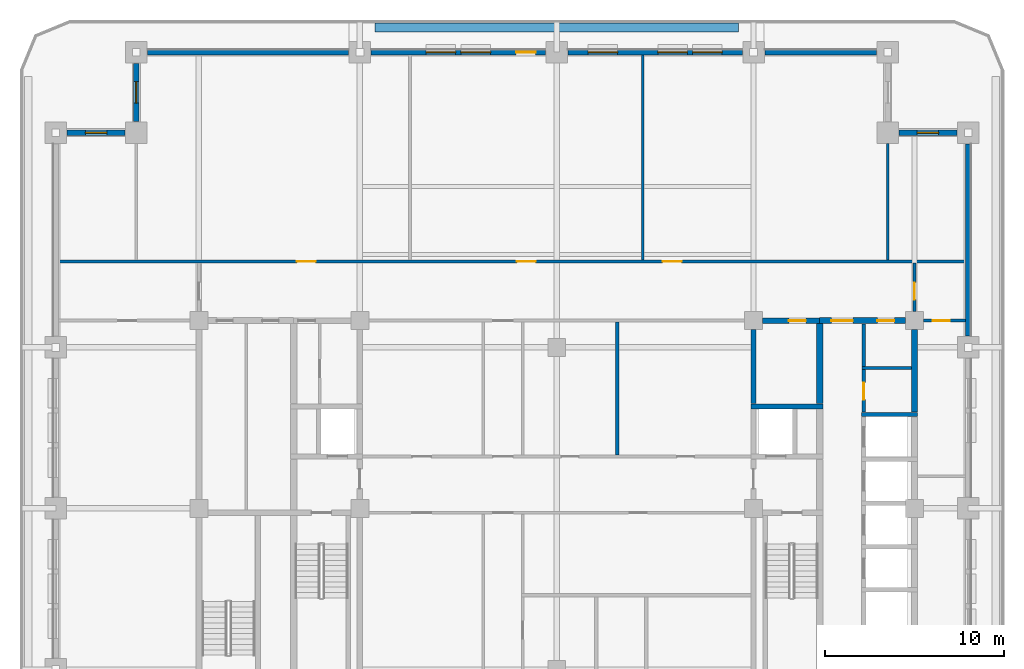
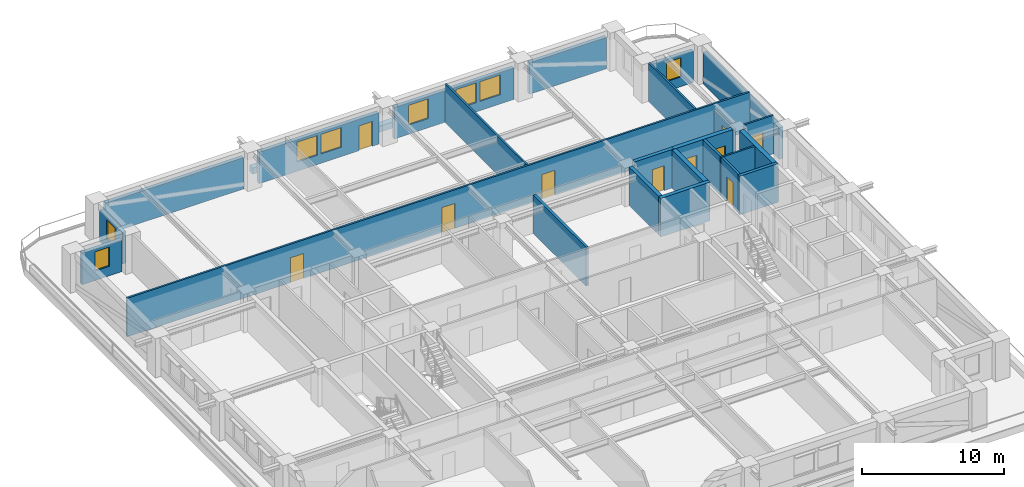
# One storey, part 6 of 16: 25 walls, 10 doors, 8 windows, 18 openings.
"""IFC4 building model written with IfcOpenShell, lengths in metres."""

from ifc_helpers import new_model, si_unit, direction, frame, frame_2d, origin, place, context, subcontext, project, spatial, rectangle, extrude, material, layer, layer_set, type_object, element, fill, save


model = new_model("IFC4")

# Units and contexts
model_context = context("Model", 3, precision=1e-05, world=origin(), true_north=direction((0.0, 1.0)))
body_context = subcontext(model_context, "Body", "Model", "MODEL_VIEW")
ifc_project = project(units=[si_unit("LENGTHUNIT", "METRE"), si_unit("AREAUNIT", "SQUARE_METRE"), si_unit("VOLUMEUNIT", "CUBIC_METRE"), si_unit("PLANEANGLEUNIT", "RADIAN"), si_unit("MASSUNIT", "GRAM", prefix="KILO")], contexts=[model_context])

# Site, building, storey
site_placement = place(None, origin())
site = spatial("IfcSite", under=ifc_project, at=site_placement, CompositionType="ELEMENT")
building_placement = place(site_placement, origin())
building = spatial("IfcBuilding", under=site, at=building_placement, Name="Zulmaris Gate Convention Tower", CompositionType="ELEMENT")
storey_placement = place(building_placement, frame((0.0, 0.0, 124.919921875)))
storey = spatial("IfcBuildingStorey", under=building, at=storey_placement, Name="L31", CompositionType="ELEMENT", Elevation=124.919921875)

# Walls
ifc_material_1 = material(Name="Concrete C50/60", Category="concrete")
ifc_layer_1 = layer(ifc_material_1, 0.25, Name="Concrete C50/60")
ifc_layer_set_1 = layer_set([ifc_layer_1], Name="Concrete C50/60")
wall_type_1 = type_object("IfcWallType", Name="CORE-250", PredefinedType="SOLIDWALL", material=ifc_layer_set_1)
wall_1_placement = place(storey_placement, frame((17.02490234375, 5.25, 0.0), z_axis=(0.0, 0.0, 1.0), x_axis=(1.0, 0.0, 0.0)))
element("IfcWall", 1, at=wall_1_placement, inside=storey, type_object=wall_type_1, Name="WL-L31-014", PredefinedType="SOLIDWALL", context=body_context, shape_type="SweptSolid", body=[
    extrude(rectangle(XDim=3.150146484375, YDim=0.25, at=frame_2d((1.5751953125, 0.0))), origin(), (0.0, 0.0, 1.0), 3.31982421875),
])
ifc_layer_2 = layer(ifc_material_1, 0.300048828125, Name="Concrete C50/60")
ifc_layer_set_2 = layer_set([ifc_layer_2], Name="Concrete C50/60")
wall_type_2 = type_object("IfcWallType", Name="CORE-300", PredefinedType="SHEAR", material=ifc_layer_set_2)
wall_2_placement = place(storey_placement, frame((10.85009765625, 5.699951171875, 0.0), z_axis=(0.0, 0.0, 1.0), x_axis=(1.0, 0.0, 0.0)))
element("IfcWall", 2, at=wall_2_placement, inside=storey, type_object=wall_type_2, Name="WL-L31-016", PredefinedType="SHEAR", context=body_context, shape_type="SweptSolid", body=[
    extrude(rectangle(XDim=4.02490234375, YDim=0.300048828125, at=frame_2d((2.012451171875, 0.0))), origin(), (0.0, 0.0, 1.0), 3.31982421875),
])

# Wall, opening, door
wall_3_placement = place(storey_placement, frame((11.50390625, 10.5, 0.0), z_axis=(0.0, 0.0, 1.0), x_axis=(1.0, 0.0, 0.0)))
wall_3 = element("IfcWall", 3, at=wall_3_placement, inside=storey, type_object=wall_type_2, Name="WL-L31-019", PredefinedType="SHEAR", context=body_context, shape_type="SweptSolid", body=[
    extrude(rectangle(XDim=3.196044921875, YDim=0.300048828125, at=frame_2d((1.59814453125, 0.0))), origin(), (0.0, 0.0, 1.0), 3.31982421875),
])
opening_1_placement = place(wall_3_placement, frame((1.470947265625, 0.0, 0.0)))
opening_1 = element("IfcOpeningElement", 4, at=opening_1_placement, cuts=wall_3, Name="Opening D-11", PredefinedType="OPENING", context=body_context, shape_type="SweptSolid", body=[
    extrude(rectangle(XDim=0.949951171875, YDim=2.14990234375, at=frame_2d((0.47509765625, 1.074951171875))), frame((0.0, 0.16015625, 0.0), z_axis=(0.0, -1.0, 0.0), x_axis=(1.0, 0.0, 0.0)), (0.0, 0.0, 1.0), 0.320068359375),
])
ifc_material_2 = material(Name="Fire-Rated Timber", Category="wood")
door_type_1 = type_object("IfcDoorType", Name="DR-950-FD", OperationType="NOTDEFINED", PredefinedType="DOOR", material=ifc_material_2)
door_1_placement = place(opening_1_placement, origin())
door_1 = element("IfcDoor", 5, at=door_1_placement, inside=storey, type_object=door_type_1, Name="L31 Core Tea Pantry Door 09", OperationType="SINGLE_SWING_LEFT", OverallHeight=2.14990234375, OverallWidth=0.949951171875, PredefinedType="DOOR", context=body_context, shape_type="SweptSolid", body=[
    extrude(rectangle(XDim=0.949951171875, YDim=2.14990234375, at=frame_2d((0.47509765625, 1.074951171875))), frame((0.0, 0.02490234375, 0.0), z_axis=(0.0, -1.0, 0.0), x_axis=(1.0, 0.0, 0.0)), (0.0, 0.0, 1.0), 0.050048828125),
])
fill(opening_1, door_1)

# Wall
wall_4_placement = place(storey_placement, frame((11.0, 5.85205078125, 0.0), z_axis=(0.0, 0.0, 1.0), x_axis=(0.0, 1.0, 0.0)))
element("IfcWall", 6, at=wall_4_placement, inside=storey, type_object=wall_type_2, Name="WL-L31-050", PredefinedType="SHEAR", context=body_context, shape_type="SweptSolid", body=[
    extrude(rectangle(XDim=4.14404296875, YDim=0.300048828125, at=frame_2d((2.072021484375, 0.0))), origin(), (0.0, 0.0, 1.0), 3.31982421875),
])

# Wall, openings, doors
ifc_material_3 = material(Name="Concrete C55/67", Category="concrete")
ifc_layer_3 = layer(ifc_material_3, 0.35009765625, Name="Concrete C55/67")
ifc_layer_set_3 = layer_set([ifc_layer_3], Name="Concrete C55/67")
wall_type_3 = type_object("IfcWallType", Name="CORE-350", PredefinedType="SHEAR", material=ifc_layer_set_3)
wall_5_placement = place(storey_placement, frame((14.699951171875, 10.5, 0.0), z_axis=(0.0, 0.0, 1.0), x_axis=(1.0, 0.0, 0.0)))
wall_5 = element("IfcWall", 7, at=wall_5_placement, inside=storey, type_object=wall_type_3, Name="WL-L31-020", PredefinedType="SHEAR", context=body_context, shape_type="SweptSolid", body=[
    extrude(rectangle(XDim=4.796142578125, YDim=0.35009765625, at=frame_2d((2.39794921875, 0.0))), origin(), (0.0, 0.0, 1.0), 3.31982421875),
])
opening_2_placement = place(wall_5_placement, frame((0.64990234375, 0.0, 0.0)))
opening_2 = element("IfcOpeningElement", 8, at=opening_2_placement, cuts=wall_5, Name="Opening D-13", PredefinedType="OPENING", context=body_context, shape_type="SweptSolid", body=[
    extrude(rectangle(XDim=1.199951171875, YDim=2.14990234375, at=frame_2d((0.60009765625, 1.074951171875))), frame((0.0, 0.18505859375, 0.0), z_axis=(0.0, -1.0, 0.0), x_axis=(1.0, 0.0, 0.0)), (0.0, 0.0, 1.0), 0.3701171875),
])
opening_3_placement = place(wall_5_placement, frame((3.22509765625, 0.0, 0.0)))
opening_3 = element("IfcOpeningElement", 9, at=opening_3_placement, cuts=wall_5, Name="Opening D-11", PredefinedType="OPENING", context=body_context, shape_type="SweptSolid", body=[
    extrude(rectangle(XDim=0.949951171875, YDim=2.14990234375, at=frame_2d((0.47509765625, 1.074951171875))), frame((0.0, 0.18505859375, 0.0), z_axis=(0.0, -1.0, 0.0), x_axis=(1.0, 0.0, 0.0)), (0.0, 0.0, 1.0), 0.3701171875),
])
ifc_material_4 = material(Name="Fire-Rated Steel", Category="steel")
door_type_2 = type_object("IfcDoorType", Name="DR-1200-FD", OperationType="NOTDEFINED", PredefinedType="DOOR", material=ifc_material_4)
door_2_placement = place(opening_2_placement, origin())
door_2 = element("IfcDoor", 10, at=door_2_placement, inside=storey, type_object=door_type_2, Name="L31 East Lift Lobby North Door 18", OperationType="SINGLE_SWING_RIGHT", OverallHeight=2.14990234375, OverallWidth=1.199951171875, PredefinedType="DOOR", context=body_context, shape_type="SweptSolid", body=[
    extrude(rectangle(XDim=1.199951171875, YDim=2.14990234375, at=frame_2d((0.60009765625, 1.074951171875))), frame((0.0, 0.02490234375, 0.0), z_axis=(0.0, -1.0, 0.0), x_axis=(1.0, 0.0, 0.0)), (0.0, 0.0, 1.0), 0.050048828125),
])
fill(opening_2, door_2)
door_3_placement = place(opening_3_placement, origin())
door_3 = element("IfcDoor", 11, at=door_3_placement, inside=storey, type_object=door_type_1, Name="L31 Mid-Rise Supply Door 19", OperationType="SINGLE_SWING_LEFT", OverallHeight=2.14990234375, OverallWidth=0.949951171875, PredefinedType="DOOR", context=body_context, shape_type="SweptSolid", body=[
    extrude(rectangle(XDim=0.949951171875, YDim=2.14990234375, at=frame_2d((0.47509765625, 1.074951171875))), frame((0.0, 0.02490234375, 0.0), z_axis=(0.0, -1.0, 0.0), x_axis=(1.0, 0.0, 0.0)), (0.0, 0.0, 1.0), 0.050048828125),
])
fill(opening_3, door_3)

# Walls
wall_6_placement = place(storey_placement, frame((14.699951171875, 5.85205078125, 0.0), z_axis=(0.0, 0.0, 1.0), x_axis=(0.0, 1.0, 0.0)))
element("IfcWall", 12, at=wall_6_placement, inside=storey, type_object=wall_type_3, Name="WL-L31-056", PredefinedType="SHEAR", context=body_context, shape_type="SweptSolid", body=[
    extrude(rectangle(XDim=4.470947265625, YDim=0.35009765625, at=frame_2d((2.2353515625, 0.0))), origin(), (0.0, 0.0, 1.0), 3.31982421875),
])
wall_7_placement = place(storey_placement, frame((20.0, 5.376953125, 0.0), z_axis=(0.0, 0.0, 1.0), x_axis=(0.0, 1.0, 0.0)))
element("IfcWall", 13, at=wall_7_placement, inside=storey, type_object=wall_type_3, Name="WL-L31-068", PredefinedType="SHEAR", context=body_context, shape_type="SweptSolid", body=[
    extrude(rectangle(XDim=4.619140625, YDim=0.35009765625, at=frame_2d((2.3095703125, 0.0))), origin(), (0.0, 0.0, 1.0), 3.31982421875),
])
ifc_material_5 = material(Name="Gypsum Metal Stud Partition")
ifc_layer_4 = layer(ifc_material_5, 0.14990234375, Name="Gypsum Metal Stud Partition")
ifc_layer_set_4 = layer_set([ifc_layer_4], Name="Gypsum Metal Stud Partition")
wall_type_4 = type_object("IfcWallType", Name="PART-150", PredefinedType="PARTITIONING", material=ifc_layer_set_4)
wall_8_placement = place(storey_placement, frame((17.050048828125, 7.85009765625, 0.0), z_axis=(0.0, 0.0, 1.0), x_axis=(1.0, 0.0, 0.0)))
element("IfcWall", 14, at=wall_8_placement, inside=storey, type_object=wall_type_4, Name="WL-L31-029", PredefinedType="PARTITIONING", context=body_context, shape_type="SweptSolid", body=[
    extrude(rectangle(XDim=2.77197265625, YDim=0.14990234375, at=frame_2d((1.385986328125, 0.0))), origin(), (0.0, 0.0, 1.0), 3.31982421875),
])

# Wall, opening, door
wall_9_placement = place(storey_placement, frame((20.506103515625, 10.5, 0.0), z_axis=(0.0, 0.0, 1.0), x_axis=(1.0, 0.0, 0.0)))
wall_9 = element("IfcWall", 15, at=wall_9_placement, inside=storey, type_object=wall_type_4, Name="WL-L31-032", PredefinedType="PARTITIONING", context=body_context, shape_type="SweptSolid", body=[
    extrude(rectangle(XDim=2.328857421875, YDim=0.14990234375, at=frame_2d((1.16455078125, 0.0))), origin(), (0.0, 0.0, 1.0), 3.31982421875),
])
opening_4_placement = place(wall_9_placement, frame((0.51904296875, 0.0, 0.0)))
opening_4 = element("IfcOpeningElement", 16, at=opening_4_placement, cuts=wall_9, Name="Opening D-11", PredefinedType="OPENING", context=body_context, shape_type="SweptSolid", body=[
    extrude(rectangle(XDim=0.949951171875, YDim=2.14990234375, at=frame_2d((0.47509765625, 1.074951171875))), frame((0.0, 0.0849609375, 0.0), z_axis=(0.0, -1.0, 0.0), x_axis=(1.0, 0.0, 0.0)), (0.0, 0.0, 1.0), 0.169921875),
])
door_4_placement = place(opening_4_placement, origin())
door_4 = element("IfcDoor", 17, at=door_4_placement, inside=storey, type_object=door_type_1, Name="L31 NE Partner Door 47", OperationType="SINGLE_SWING_LEFT", OverallHeight=2.14990234375, OverallWidth=0.949951171875, PredefinedType="DOOR", context=body_context, shape_type="SweptSolid", body=[
    extrude(rectangle(XDim=0.949951171875, YDim=2.14990234375, at=frame_2d((0.47509765625, 1.074951171875))), frame((0.0, 0.02490234375, 0.0), z_axis=(0.0, -1.0, 0.0), x_axis=(1.0, 0.0, 0.0)), (0.0, 0.0, 1.0), 0.050048828125),
])
fill(opening_4, door_4)

# Wall, openings, doors
wall_10_placement = place(storey_placement, frame((-27.8349609375, 13.800048828125, 0.0), z_axis=(0.0, 0.0, 1.0), x_axis=(1.0, 0.0, 0.0)))
wall_10 = element("IfcWall", 18, at=wall_10_placement, inside=storey, type_object=wall_type_4, Name="WL-L31-033", PredefinedType="PARTITIONING", context=body_context, shape_type="SweptSolid", body=[
    extrude(rectangle(XDim=50.669921875, YDim=0.14990234375, at=frame_2d((25.3349609375, 0.0))), origin(), (0.0, 0.0, 1.0), 3.31982421875),
])
opening_5_placement = place(wall_10_placement, frame((13.31005859375, 0.0, 0.0)))
opening_5 = element("IfcOpeningElement", 19, at=opening_5_placement, cuts=wall_10, Name="Opening D-09", PredefinedType="OPENING", context=body_context, shape_type="SweptSolid", body=[
    extrude(rectangle(XDim=1.050048828125, YDim=2.14990234375, at=frame_2d((0.52490234375, 1.074951171875))), frame((0.0, 0.0849609375, 0.0), z_axis=(0.0, -1.0, 0.0), x_axis=(1.0, 0.0, 0.0)), (0.0, 0.0, 1.0), 0.169921875),
])
opening_6_placement = place(wall_10_placement, frame((25.610107421875, 0.0, 0.0)))
opening_6 = element("IfcOpeningElement", 20, at=opening_6_placement, cuts=wall_10, Name="Opening D-09", PredefinedType="OPENING", context=body_context, shape_type="SweptSolid", body=[
    extrude(rectangle(XDim=1.050048828125, YDim=2.14990234375, at=frame_2d((0.52490234375, 1.074951171875))), frame((0.0, 0.0849609375, 0.0), z_axis=(0.0, -1.0, 0.0), x_axis=(1.0, 0.0, 0.0)), (0.0, 0.0, 1.0), 0.169921875),
])
opening_7_placement = place(wall_10_placement, frame((33.760009765625, 0.0, 0.0)))
opening_7 = element("IfcOpeningElement", 21, at=opening_7_placement, cuts=wall_10, Name="Opening D-09", PredefinedType="OPENING", context=body_context, shape_type="SweptSolid", body=[
    extrude(rectangle(XDim=1.050048828125, YDim=2.14990234375, at=frame_2d((0.52490234375, 1.074951171875))), frame((0.0, 0.0849609375, 0.0), z_axis=(0.0, -1.0, 0.0), x_axis=(1.0, 0.0, 0.0)), (0.0, 0.0, 1.0), 0.169921875),
])
door_type_3 = type_object("IfcDoorType", Name="DR-1050-FD", OperationType="NOTDEFINED", PredefinedType="DOOR", material=ifc_material_4)
door_5_placement = place(opening_5_placement, origin())
door_5 = element("IfcDoor", 22, at=door_5_placement, inside=storey, type_object=door_type_3, Name="L31 Executive Boardroom Door 25", OperationType="SINGLE_SWING_LEFT", OverallHeight=2.14990234375, OverallWidth=1.050048828125, PredefinedType="DOOR", context=body_context, shape_type="SweptSolid", body=[
    extrude(rectangle(XDim=1.050048828125, YDim=2.14990234375, at=frame_2d((0.52490234375, 1.074951171875))), frame((0.0, 0.02490234375, 0.0), z_axis=(0.0, -1.0, 0.0), x_axis=(1.0, 0.0, 0.0)), (0.0, 0.0, 1.0), 0.050048828125),
])
fill(opening_5, door_5)
door_6_placement = place(opening_6_placement, origin())
door_6 = element("IfcDoor", 23, at=door_6_placement, inside=storey, type_object=door_type_3, Name="L31 Corporate Strategy Office Door 26", OperationType="SINGLE_SWING_RIGHT", OverallHeight=2.14990234375, OverallWidth=1.050048828125, PredefinedType="DOOR", context=body_context, shape_type="SweptSolid", body=[
    extrude(rectangle(XDim=1.050048828125, YDim=2.14990234375, at=frame_2d((0.52490234375, 1.074951171875))), frame((0.0, 0.02490234375, 0.0), z_axis=(0.0, -1.0, 0.0), x_axis=(1.0, 0.0, 0.0)), (0.0, 0.0, 1.0), 0.050048828125),
])
fill(opening_6, door_6)
door_7_placement = place(opening_7_placement, origin())
door_7 = element("IfcDoor", 24, at=door_7_placement, inside=storey, type_object=door_type_3, Name="L31 Project Advisory Studio Door 27", OperationType="SINGLE_SWING_LEFT", OverallHeight=2.14990234375, OverallWidth=1.050048828125, PredefinedType="DOOR", context=body_context, shape_type="SweptSolid", body=[
    extrude(rectangle(XDim=1.050048828125, YDim=2.14990234375, at=frame_2d((0.52490234375, 1.074951171875))), frame((0.0, 0.02490234375, 0.0), z_axis=(0.0, -1.0, 0.0), x_axis=(1.0, 0.0, 0.0)), (0.0, 0.0, 1.0), 0.050048828125),
])
fill(opening_7, door_7)

# Walls
wall_11_placement = place(storey_placement, frame((4.800048828125, 13.8779296875, 0.0), z_axis=(0.0, 0.0, 1.0), x_axis=(0.0, 1.0, 0.0)))
element("IfcWall", 25, at=wall_11_placement, inside=storey, type_object=wall_type_4, Name="WL-L31-086", PredefinedType="PARTITIONING", context=body_context, shape_type="SweptSolid", body=[
    extrude(rectangle(XDim=11.45703125, YDim=0.14990234375, at=frame_2d((5.728515625, 0.0))), origin(), (0.0, 0.0, 1.0), 3.31982421875),
])
wall_12_placement = place(storey_placement, frame((18.5, 13.8779296875, 0.0), z_axis=(0.0, 0.0, 1.0), x_axis=(0.0, 1.0, 0.0)))
element("IfcWall", 26, at=wall_12_placement, inside=storey, type_object=wall_type_4, Name="WL-L31-092", PredefinedType="PARTITIONING", context=body_context, shape_type="SweptSolid", body=[
    extrude(rectangle(XDim=6.51611328125, YDim=0.14990234375, at=frame_2d((3.258056640625, 0.0))), origin(), (0.0, 0.0, 1.0), 3.31982421875),
])

# Wall, opening, door
wall_13_placement = place(storey_placement, frame((20.0, 11.006103515625, 0.0), z_axis=(0.0, 0.0, 1.0), x_axis=(0.0, 1.0, 0.0)))
wall_13 = element("IfcWall", 27, at=wall_13_placement, inside=storey, type_object=wall_type_4, Name="WL-L31-094", PredefinedType="PARTITIONING", context=body_context, shape_type="SweptSolid", body=[
    extrude(rectangle(XDim=2.7158203125, YDim=0.14990234375, at=frame_2d((1.35791015625, 0.0))), origin(), (0.0, 0.0, 1.0), 2.809814453125),
])
opening_8_placement = place(wall_13_placement, frame((0.6689453125, 0.0, 0.0)))
opening_8 = element("IfcOpeningElement", 28, at=opening_8_placement, cuts=wall_13, Name="Opening D-11", PredefinedType="OPENING", context=body_context, shape_type="SweptSolid", body=[
    extrude(rectangle(XDim=0.949951171875, YDim=2.14990234375, at=frame_2d((0.47509765625, 1.074951171875))), frame((0.0, 0.0849609375, 0.0), z_axis=(0.0, -1.0, 0.0), x_axis=(1.0, 0.0, 0.0)), (0.0, 0.0, 1.0), 0.169921875),
])
door_8_placement = place(opening_8_placement, origin())
door_8 = element("IfcDoor", 29, at=door_8_placement, inside=storey, type_object=door_type_1, Name="L31 NE Spur Door 45", OperationType="SINGLE_SWING_LEFT", OverallHeight=2.14990234375, OverallWidth=0.949951171875, PredefinedType="DOOR", context=body_context, shape_type="SweptSolid", body=[
    extrude(rectangle(XDim=0.949951171875, YDim=2.14990234375, at=frame_2d((0.47509765625, 1.074951171875))), frame((0.0, 0.02490234375, 0.0), z_axis=(0.0, -1.0, 0.0), x_axis=(1.0, 0.0, 0.0)), (0.0, 0.0, 1.0), 0.050048828125),
])
fill(opening_8, door_8)

# Wall
ifc_material_6 = material(Name="Autoclaved Aerated Concrete Block and Plasterboard", Category="concrete")
ifc_layer_5 = layer(ifc_material_6, 0.199951171875, Name="Autoclaved Aerated Concrete Block and Plasterboard")
ifc_layer_set_5 = layer_set([ifc_layer_5], Name="Autoclaved Aerated Concrete Block and Plasterboard")
wall_type_5 = type_object("IfcWallType", Name="PART-200", PredefinedType="PARTITIONING", material=ifc_layer_set_5)
wall_14_placement = place(storey_placement, frame((3.389892578125, 2.97802734375, 0.0), z_axis=(0.0, 0.0, 1.0), x_axis=(0.0, 1.0, 0.0)))
element("IfcWall", 30, at=wall_14_placement, inside=storey, type_object=wall_type_5, Name="WL-L31-085", PredefinedType="PARTITIONING", context=body_context, shape_type="SweptSolid", body=[
    extrude(rectangle(XDim=7.444091796875, YDim=0.199951171875, at=frame_2d((3.72216796875, 0.0))), origin(), (0.0, 0.0, 1.0), 3.31982421875),
])

# Wall, opening, door
wall_15_placement = place(storey_placement, frame((17.14990234375, 5.3779296875, 0.0), z_axis=(0.0, 0.0, 1.0), x_axis=(0.0, 1.0, 0.0)))
wall_15 = element("IfcWall", 31, at=wall_15_placement, inside=storey, type_object=wall_type_5, Name="WL-L31-089", PredefinedType="PARTITIONING", context=body_context, shape_type="SweptSolid", body=[
    extrude(rectangle(XDim=2.39404296875, YDim=0.199951171875, at=frame_2d((1.197021484375, 0.0))), origin(), (0.0, 0.0, 1.0), 3.31982421875),
])
opening_9_placement = place(wall_15_placement, frame((0.697021484375, 0.0, 0.0)))
opening_9 = element("IfcOpeningElement", 32, at=opening_9_placement, cuts=wall_15, Name="Opening D-11", PredefinedType="OPENING", context=body_context, shape_type="SweptSolid", body=[
    extrude(rectangle(XDim=0.949951171875, YDim=2.14990234375, at=frame_2d((0.47509765625, 1.074951171875))), frame((0.0, 0.10986328125, 0.0), z_axis=(0.0, -1.0, 0.0), x_axis=(1.0, 0.0, 0.0)), (0.0, 0.0, 1.0), 0.219970703125),
])
door_9_placement = place(opening_9_placement, origin())
door_9 = element("IfcDoor", 33, at=door_9_placement, inside=storey, type_object=door_type_1, Name="L31 Mid-Rise Meter Door 20", OperationType="SINGLE_SWING_RIGHT", OverallHeight=2.14990234375, OverallWidth=0.949951171875, PredefinedType="DOOR", context=body_context, shape_type="SweptSolid", body=[
    extrude(rectangle(XDim=0.949951171875, YDim=2.14990234375, at=frame_2d((0.47509765625, 1.074951171875))), frame((0.0, 0.02490234375, 0.0), z_axis=(0.0, -1.0, 0.0), x_axis=(1.0, 0.0, 0.0)), (0.0, 0.0, 1.0), 0.050048828125),
])
fill(opening_9, door_9)

# Walls
wall_16_placement = place(storey_placement, frame((17.14990234375, 7.927978515625, 0.0), z_axis=(0.0, 0.0, 1.0), x_axis=(0.0, 1.0, 0.0)))
element("IfcWall", 34, at=wall_16_placement, inside=storey, type_object=wall_type_5, Name="WL-L31-090", PredefinedType="PARTITIONING", context=body_context, shape_type="SweptSolid", body=[
    extrude(rectangle(XDim=2.39404296875, YDim=0.199951171875, at=frame_2d((1.197021484375, 0.0))), origin(), (0.0, 0.0, 1.0), 3.31982421875),
])
ifc_material_7 = material(Name="Botanical Green Glazed Precast Concrete C40/50", Category="concrete")
ifc_layer_6 = layer(ifc_material_7, 0.419921875, Name="Botanical Green Glazed Precast Concrete C40/50")
ifc_layer_set_6 = layer_set([ifc_layer_6], Name="Botanical Green Glazed Precast Concrete C40/50")
wall_type_6 = type_object("IfcWallType", Name="PLANTER-CURB-200", PredefinedType="PARAPET", material=ifc_layer_set_6)
wall_17_placement = place(storey_placement, frame((-10.14990234375, 26.8798828125, -0.0400390625), z_axis=(0.0, 0.0, 1.0), x_axis=(1.0, 0.0, 0.0)))
element("IfcWall", 35, at=wall_17_placement, inside=storey, type_object=wall_type_6, Name="L31 Full-Length Balcony Tree Planter Trough", PredefinedType="PARAPET", context=body_context, shape_type="SweptSolid", body=[
    extrude(rectangle(XDim=20.2998046875, YDim=0.47998046875, at=frame_2d((10.14990234375, 0.0))), origin(), (0.0, 0.0, 1.0), 0.52001953125),
])

# Wall, opening, window
ifc_material_8 = material(Name="Precast concrete C40/50", Category="concrete")
ifc_layer_7 = layer(ifc_material_8, 0.300048828125, Name="Precast concrete C40/50")
ifc_layer_set_7 = layer_set([ifc_layer_7], Name="Precast concrete C40/50")
wall_type_7 = type_object("IfcWallType", Name="PRECAST-PIER-300", PredefinedType="STANDARD", material=ifc_layer_set_7)
wall_18_placement = place(storey_placement, frame((22.3701171875, 21.0, 0.0), z_axis=(0.0, 0.0, 1.0), x_axis=(-1.0, 0.0, 0.0)))
wall_18 = element("IfcWall", 36, at=wall_18_placement, inside=storey, type_object=wall_type_7, Name="EW-L31-NOTCH-NE1_0", PredefinedType="STANDARD", context=body_context, shape_type="SweptSolid", body=[
    extrude(rectangle(XDim=3.240234375, YDim=0.300048828125, at=frame_2d((1.6201171875, 0.0))), origin(), (0.0, 0.0, 1.0), 2.711669921875),
])
opening_10_placement = place(wall_18_placement, frame((1.02001953125, 0.0, 0.820068359375)))
opening_10 = element("IfcOpeningElement", 37, at=opening_10_placement, cuts=wall_18, Name="Opening W-04", PredefinedType="OPENING", context=body_context, shape_type="SweptSolid", body=[
    extrude(rectangle(XDim=1.199951171875, YDim=1.64990234375, at=frame_2d((0.60009765625, 0.824951171875))), frame((0.0, 0.16015625, 0.0), z_axis=(0.0, -1.0, 0.0), x_axis=(1.0, 0.0, 0.0)), (0.0, 0.0, 1.0), 0.320068359375),
])
ifc_material_9 = material(Name="Low-E Laminated Double Glazing in Aluminium Frame", Category="aluminium")
window_type_1 = type_object("IfcWindowType", Name="WIN-1200x2100", PartitioningType="SINGLE_PANEL", PredefinedType="WINDOW", material=ifc_material_9)
window_1_placement = place(opening_10_placement, origin())
window_1 = element("IfcWindow", 38, at=window_1_placement, inside=storey, type_object=window_type_1, Name="WN-EW-L31-NOTCH-NE1_0", OverallHeight=1.64990234375, OverallWidth=1.199951171875, PartitioningType="SINGLE_PANEL", PredefinedType="WINDOW", context=body_context, shape_type="SweptSolid", body=[
    extrude(rectangle(XDim=1.199951171875, YDim=1.64990234375, at=frame_2d((0.60009765625, 0.824951171875))), frame((0.0, 0.030029296875, 0.0), z_axis=(0.0, -1.0, 0.0), x_axis=(1.0, 0.0, 0.0)), (0.0, 0.0, 1.0), 0.06005859375),
])
fill(opening_10, window_1)

wall_19_placement = place(storey_placement, frame((-23.5, 24.8701171875, 0.0), z_axis=(0.0, 0.0, 1.0), x_axis=(0.0, -1.0, 0.0)))
wall_19 = element("IfcWall", 39, at=wall_19_placement, inside=storey, type_object=wall_type_7, Name="EW-L31-NOTCH-NW1_0", PredefinedType="STANDARD", context=body_context, shape_type="SweptSolid", body=[
    extrude(rectangle(XDim=3.240234375, YDim=0.300048828125, at=frame_2d((1.6201171875, 0.0))), origin(), (0.0, 0.0, 1.0), 2.711669921875),
])
opening_11_placement = place(wall_19_placement, frame((1.02001953125, 0.0, 0.820068359375)))
opening_11 = element("IfcOpeningElement", 40, at=opening_11_placement, cuts=wall_19, Name="Opening W-04", PredefinedType="OPENING", context=body_context, shape_type="SweptSolid", body=[
    extrude(rectangle(XDim=1.199951171875, YDim=1.64990234375, at=frame_2d((0.60009765625, 0.824951171875))), frame((0.0, 0.16015625, 0.0), z_axis=(0.0, -1.0, 0.0), x_axis=(1.0, 0.0, 0.0)), (0.0, 0.0, 1.0), 0.320068359375),
])
window_2_placement = place(opening_11_placement, origin())
window_2 = element("IfcWindow", 41, at=window_2_placement, inside=storey, type_object=window_type_1, Name="WN-EW-L31-NOTCH-NW1_0", OverallHeight=1.64990234375, OverallWidth=1.199951171875, PartitioningType="SINGLE_PANEL", PredefinedType="WINDOW", context=body_context, shape_type="SweptSolid", body=[
    extrude(rectangle(XDim=1.199951171875, YDim=1.64990234375, at=frame_2d((0.60009765625, 0.824951171875))), frame((0.0, 0.030029296875, 0.0), z_axis=(0.0, -1.0, 0.0), x_axis=(1.0, 0.0, 0.0)), (0.0, 0.0, 1.0), 0.06005859375),
])
fill(opening_11, window_2)

wall_20_placement = place(storey_placement, frame((-24.1298828125, 21.0, 0.0), z_axis=(0.0, 0.0, 1.0), x_axis=(-1.0, 0.0, 0.0)))
wall_20 = element("IfcWall", 42, at=wall_20_placement, inside=storey, type_object=wall_type_7, Name="EW-L31-NOTCH-NW2_0", PredefinedType="STANDARD", context=body_context, shape_type="SweptSolid", body=[
    extrude(rectangle(XDim=3.240234375, YDim=0.300048828125, at=frame_2d((1.6201171875, 0.0))), origin(), (0.0, 0.0, 1.0), 2.711669921875),
])
opening_12_placement = place(wall_20_placement, frame((1.02001953125, 0.0, 0.820068359375)))
opening_12 = element("IfcOpeningElement", 43, at=opening_12_placement, cuts=wall_20, Name="Opening W-04", PredefinedType="OPENING", context=body_context, shape_type="SweptSolid", body=[
    extrude(rectangle(XDim=1.199951171875, YDim=1.64990234375, at=frame_2d((0.60009765625, 0.824951171875))), frame((0.0, 0.16015625, 0.0), z_axis=(0.0, -1.0, 0.0), x_axis=(1.0, 0.0, 0.0)), (0.0, 0.0, 1.0), 0.320068359375),
])
window_3_placement = place(opening_12_placement, origin())
window_3 = element("IfcWindow", 44, at=window_3_placement, inside=storey, type_object=window_type_1, Name="WN-EW-L31-NOTCH-NW2_0", OverallHeight=1.64990234375, OverallWidth=1.199951171875, PartitioningType="SINGLE_PANEL", PredefinedType="WINDOW", context=body_context, shape_type="SweptSolid", body=[
    extrude(rectangle(XDim=1.199951171875, YDim=1.64990234375, at=frame_2d((0.60009765625, 0.824951171875))), frame((0.0, 0.030029296875, 0.0), z_axis=(0.0, -1.0, 0.0), x_axis=(1.0, 0.0, 0.0)), (0.0, 0.0, 1.0), 0.06005859375),
])
fill(opening_12, window_3)

# Wall
wall_21_placement = place(storey_placement, frame((-11.6298828125, 25.5, 0.0), z_axis=(0.0, 0.0, 1.0), x_axis=(-1.0, 0.0, 0.0)))
element("IfcWall", 45, at=wall_21_placement, inside=storey, type_object=wall_type_7, Name="EW-L31-N-0_0", PredefinedType="STANDARD", context=body_context, shape_type="SweptSolid", body=[
    extrude(rectangle(XDim=11.240234375, YDim=0.300048828125, at=frame_2d((5.6201171875, 0.0))), origin(), (0.0, 0.0, 1.0), 2.711669921875),
])

# Wall, openings, door, windows
wall_22_placement = place(storey_placement, frame((-0.6298828125, 25.5, 0.0), z_axis=(0.0, 0.0, 1.0), x_axis=(-1.0, 0.0, 0.0)))
wall_22 = element("IfcWall", 46, at=wall_22_placement, inside=storey, type_object=wall_type_7, Name="EW-L31-N-1_0", PredefinedType="STANDARD", context=body_context, shape_type="SweptSolid", body=[
    extrude(rectangle(XDim=9.740234375, YDim=0.300048828125, at=frame_2d((4.8701171875, 0.0))), origin(), (0.0, 0.0, 1.0), 2.711669921875),
])
opening_13_placement = place(wall_22_placement, frame((0.54296875, 0.0, 0.0)))
opening_13 = element("IfcOpeningElement", 47, at=opening_13_placement, cuts=wall_22, Name="Opening D-04", PredefinedType="OPENING", context=body_context, shape_type="SweptSolid", body=[
    extrude(rectangle(XDim=1.10009765625, YDim=2.14990234375, at=frame_2d((0.550048828125, 1.074951171875))), frame((0.0, 0.16015625, 0.0), z_axis=(0.0, -1.0, 0.0), x_axis=(1.0, 0.0, 0.0)), (0.0, 0.0, 1.0), 0.320068359375),
])
opening_14_placement = place(wall_22_placement, frame((3.071044921875, 0.0, 0.800048828125)))
opening_14 = element("IfcOpeningElement", 48, at=opening_14_placement, cuts=wall_22, Name="Opening W-08", PredefinedType="OPENING", context=body_context, shape_type="SweptSolid", body=[
    extrude(rectangle(XDim=1.64990234375, YDim=1.699951171875, at=frame_2d((0.824951171875, 0.85009765625))), frame((0.0, 0.16015625, 0.0), z_axis=(0.0, -1.0, 0.0), x_axis=(1.0, 0.0, 0.0)), (0.0, 0.0, 1.0), 0.320068359375),
])
opening_15_placement = place(wall_22_placement, frame((5.01904296875, 0.0, 0.800048828125)))
opening_15 = element("IfcOpeningElement", 49, at=opening_15_placement, cuts=wall_22, Name="Opening W-08", PredefinedType="OPENING", context=body_context, shape_type="SweptSolid", body=[
    extrude(rectangle(XDim=1.64990234375, YDim=1.699951171875, at=frame_2d((0.824951171875, 0.85009765625))), frame((0.0, 0.16015625, 0.0), z_axis=(0.0, -1.0, 0.0), x_axis=(1.0, 0.0, 0.0)), (0.0, 0.0, 1.0), 0.320068359375),
])
ifc_material_10 = material(Name="Anodised Aluminium and Laminated Glass", Category="aluminium")
door_type_4 = type_object("IfcDoorType", Name="ED-1100", OperationType="SINGLE_SWING_RIGHT", PredefinedType="DOOR", material=ifc_material_10)
door_10_placement = place(opening_13_placement, origin())
door_10 = element("IfcDoor", 50, at=door_10_placement, inside=storey, type_object=door_type_4, Name="L31 N Planted Terrace Door", OperationType="SINGLE_SWING_LEFT", OverallHeight=2.14990234375, OverallWidth=1.10009765625, PredefinedType="DOOR", context=body_context, shape_type="SweptSolid", body=[
    extrude(rectangle(XDim=1.10009765625, YDim=2.14990234375, at=frame_2d((0.550048828125, 1.074951171875))), frame((0.0, 0.02490234375, 0.0), z_axis=(0.0, -1.0, 0.0), x_axis=(1.0, 0.0, 0.0)), (0.0, 0.0, 1.0), 0.050048828125),
])
fill(opening_13, door_10)
window_type_2 = type_object("IfcWindowType", Name="WIN-1650x2150", PartitioningType="SINGLE_PANEL", PredefinedType="WINDOW", material=ifc_material_9)
window_4_placement = place(opening_14_placement, origin())
window_4 = element("IfcWindow", 51, at=window_4_placement, inside=storey, type_object=window_type_2, Name="WN-EW-L31-N-1_0-2", OverallHeight=1.699951171875, OverallWidth=1.64990234375, PartitioningType="SINGLE_PANEL", PredefinedType="WINDOW", context=body_context, shape_type="SweptSolid", body=[
    extrude(rectangle(XDim=1.64990234375, YDim=1.699951171875, at=frame_2d((0.824951171875, 0.85009765625))), frame((0.0, 0.030029296875, 0.0), z_axis=(0.0, -1.0, 0.0), x_axis=(1.0, 0.0, 0.0)), (0.0, 0.0, 1.0), 0.06005859375),
])
fill(opening_14, window_4)
window_5_placement = place(opening_15_placement, origin())
window_5 = element("IfcWindow", 52, at=window_5_placement, inside=storey, type_object=window_type_2, Name="WN-EW-L31-N-1_0-3", OverallHeight=1.699951171875, OverallWidth=1.64990234375, PartitioningType="SINGLE_PANEL", PredefinedType="WINDOW", context=body_context, shape_type="SweptSolid", body=[
    extrude(rectangle(XDim=1.64990234375, YDim=1.699951171875, at=frame_2d((0.824951171875, 0.85009765625))), frame((0.0, 0.030029296875, 0.0), z_axis=(0.0, -1.0, 0.0), x_axis=(1.0, 0.0, 0.0)), (0.0, 0.0, 1.0), 0.06005859375),
])
fill(opening_15, window_5)

# Wall, openings, windows
wall_23_placement = place(storey_placement, frame((10.3701171875, 25.5, 0.0), z_axis=(0.0, 0.0, 1.0), x_axis=(-1.0, 0.0, 0.0)))
wall_23 = element("IfcWall", 53, at=wall_23_placement, inside=storey, type_object=wall_type_7, Name="EW-L31-N-2_0", PredefinedType="STANDARD", context=body_context, shape_type="SweptSolid", body=[
    extrude(rectangle(XDim=9.740234375, YDim=0.300048828125, at=frame_2d((4.8701171875, 0.0))), origin(), (0.0, 0.0, 1.0), 2.711669921875),
])
opening_16_placement = place(wall_23_placement, frame((1.123046875, 0.0, 0.800048828125)))
opening_16 = element("IfcOpeningElement", 54, at=opening_16_placement, cuts=wall_23, Name="Opening W-08", PredefinedType="OPENING", context=body_context, shape_type="SweptSolid", body=[
    extrude(rectangle(XDim=1.64990234375, YDim=1.699951171875, at=frame_2d((0.824951171875, 0.85009765625))), frame((0.0, 0.16015625, 0.0), z_axis=(0.0, -1.0, 0.0), x_axis=(1.0, 0.0, 0.0)), (0.0, 0.0, 1.0), 0.320068359375),
])
opening_17_placement = place(wall_23_placement, frame((3.071044921875, 0.0, 0.800048828125)))
opening_17 = element("IfcOpeningElement", 55, at=opening_17_placement, cuts=wall_23, Name="Opening W-08", PredefinedType="OPENING", context=body_context, shape_type="SweptSolid", body=[
    extrude(rectangle(XDim=1.64990234375, YDim=1.699951171875, at=frame_2d((0.824951171875, 0.85009765625))), frame((0.0, 0.16015625, 0.0), z_axis=(0.0, -1.0, 0.0), x_axis=(1.0, 0.0, 0.0)), (0.0, 0.0, 1.0), 0.320068359375),
])
opening_18_placement = place(wall_23_placement, frame((6.967041015625, 0.0, 0.800048828125)))
opening_18 = element("IfcOpeningElement", 56, at=opening_18_placement, cuts=wall_23, Name="Opening W-08", PredefinedType="OPENING", context=body_context, shape_type="SweptSolid", body=[
    extrude(rectangle(XDim=1.64990234375, YDim=1.699951171875, at=frame_2d((0.824951171875, 0.85009765625))), frame((0.0, 0.16015625, 0.0), z_axis=(0.0, -1.0, 0.0), x_axis=(1.0, 0.0, 0.0)), (0.0, 0.0, 1.0), 0.320068359375),
])
window_6_placement = place(opening_16_placement, origin())
window_6 = element("IfcWindow", 57, at=window_6_placement, inside=storey, type_object=window_type_2, Name="WN-EW-L31-N-2_0-1", OverallHeight=1.699951171875, OverallWidth=1.64990234375, PartitioningType="SINGLE_PANEL", PredefinedType="WINDOW", context=body_context, shape_type="SweptSolid", body=[
    extrude(rectangle(XDim=1.64990234375, YDim=1.699951171875, at=frame_2d((0.824951171875, 0.85009765625))), frame((0.0, 0.030029296875, 0.0), z_axis=(0.0, -1.0, 0.0), x_axis=(1.0, 0.0, 0.0)), (0.0, 0.0, 1.0), 0.06005859375),
])
fill(opening_16, window_6)
window_7_placement = place(opening_17_placement, origin())
window_7 = element("IfcWindow", 58, at=window_7_placement, inside=storey, type_object=window_type_2, Name="WN-EW-L31-N-2_0-2", OverallHeight=1.699951171875, OverallWidth=1.64990234375, PartitioningType="SINGLE_PANEL", PredefinedType="WINDOW", context=body_context, shape_type="SweptSolid", body=[
    extrude(rectangle(XDim=1.64990234375, YDim=1.699951171875, at=frame_2d((0.824951171875, 0.85009765625))), frame((0.0, 0.030029296875, 0.0), z_axis=(0.0, -1.0, 0.0), x_axis=(1.0, 0.0, 0.0)), (0.0, 0.0, 1.0), 0.06005859375),
])
fill(opening_17, window_7)
window_8_placement = place(opening_18_placement, origin())
window_8 = element("IfcWindow", 59, at=window_8_placement, inside=storey, type_object=window_type_2, Name="WN-EW-L31-N-2_0-4", OverallHeight=1.699951171875, OverallWidth=1.64990234375, PartitioningType="SINGLE_PANEL", PredefinedType="WINDOW", context=body_context, shape_type="SweptSolid", body=[
    extrude(rectangle(XDim=1.64990234375, YDim=1.699951171875, at=frame_2d((0.824951171875, 0.85009765625))), frame((0.0, 0.030029296875, 0.0), z_axis=(0.0, -1.0, 0.0), x_axis=(1.0, 0.0, 0.0)), (0.0, 0.0, 1.0), 0.06005859375),
])
fill(opening_18, window_8)

# Walls
wall_24_placement = place(storey_placement, frame((17.8701171875, 25.5, 0.0), z_axis=(0.0, 0.0, 1.0), x_axis=(-1.0, 0.0, 0.0)))
element("IfcWall", 60, at=wall_24_placement, inside=storey, type_object=wall_type_7, Name="EW-L31-N-3_0", PredefinedType="STANDARD", context=body_context, shape_type="SweptSolid", body=[
    extrude(rectangle(XDim=6.240234375, YDim=0.300048828125, at=frame_2d((3.1201171875, 0.0))), origin(), (0.0, 0.0, 1.0), 2.711669921875),
])
wall_25_placement = place(storey_placement, frame((23.0, 9.6298828125, 0.0), z_axis=(0.0, 0.0, 1.0), x_axis=(0.0, 1.0, 0.0)))
element("IfcWall", 61, at=wall_25_placement, inside=storey, type_object=wall_type_7, Name="EW-L31-E-3_0", PredefinedType="STANDARD", context=body_context, shape_type="SweptSolid", body=[
    extrude(rectangle(XDim=10.740234375, YDim=0.300048828125, at=frame_2d((5.3701171875, 0.0))), origin(), (0.0, 0.0, 1.0), 2.711669921875),
])

save(model, "model.ifc")
